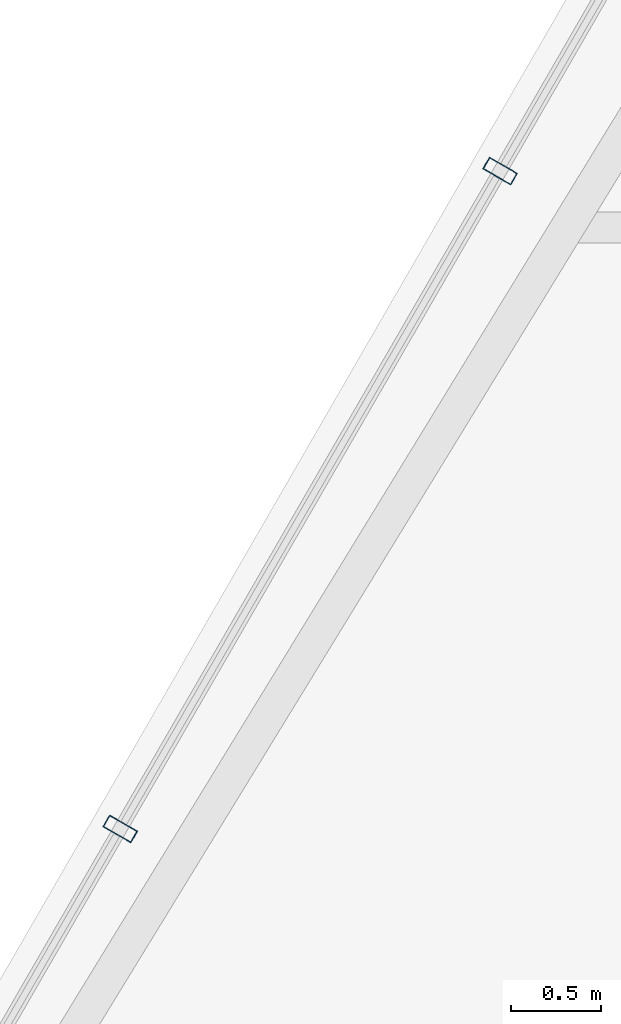
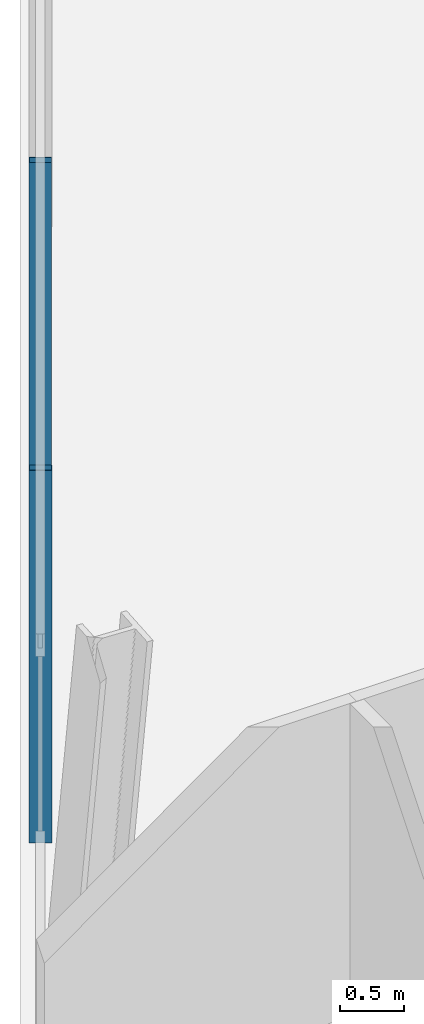
# One storey, part 12 of 33: 2 members, 1 element without a shape of its own.
"""IFC4 building model written with IfcOpenShell, lengths in metres."""

from ifc_helpers import new_model, si_unit, direction, frame, origin, origin_2d, place, context, subcontext, project, spatial, hollow_rectangle, extrude, material, layer, layer_set, material_profile, profile_set, type_object, element, aggregate, save


model = new_model("IFC4")

# Units and contexts
model_context = context("Model", 3, precision=1e-05, world=origin(), true_north=direction((0.0, 1.0)))
body_context = subcontext(model_context, "Body", "Model", "MODEL_VIEW")
ifc_project = project(units=[si_unit("LENGTHUNIT", "METRE"), si_unit("AREAUNIT", "SQUARE_METRE"), si_unit("VOLUMEUNIT", "CUBIC_METRE"), si_unit("PLANEANGLEUNIT", "RADIAN"), si_unit("MASSUNIT", "GRAM", prefix="KILO")], contexts=[model_context])

# Site, building, storey
site_placement = place(None, origin())
site = spatial("IfcSite", under=ifc_project, at=site_placement, CompositionType="ELEMENT")
building_placement = place(site_placement, origin())
building = spatial("IfcBuilding", under=site, at=building_placement, Name="Ndaravel Arena Tower", CompositionType="ELEMENT")
storey_placement = place(building_placement, frame((0.0, 0.0, 187.800048828125)))
storey = spatial("IfcBuildingStorey", under=building, at=storey_placement, Name="L45", CompositionType="ELEMENT", Elevation=187.800048828125)

# Curtain wall, members
ifc_material_1 = material(Name="Aluminium", Category="aluminium")
ifc_layer = layer(ifc_material_1, 0.179931640625)
ifc_layer_set = layer_set([ifc_layer], Name="Aluminium")
curtain_wall_type = type_object("IfcCurtainWallType", Name="CW-SYS-03", PredefinedType="NOTDEFINED", material=ifc_layer_set)
curtain_wall_placement = place(storey_placement, origin())
curtain_wall = element("IfcCurtainWall", 1, at=curtain_wall_placement, inside=storey, type_object=curtain_wall_type, Name="L45 Faceted Crystal Curtain Wall CW-L45-E05", PredefinedType="NOTDEFINED")
ifc_material_2 = material(Name="Aluminium", Category="aluminium")
ifc_material_profile = material_profile(ifc_material_2, hollow_rectangle(XDim=0.074951171875, YDim=0.179931640625, WallThickness=0.00390625, at=origin_2d()), Name="CW MULLION 75x180x4")
ifc_profile_set = profile_set([ifc_material_profile], Name="Aluminium")
member_type = type_object("IfcMemberType", Name="MEM-CW-MUL180", PredefinedType="MULLION", material=ifc_profile_set)
member_1_placement = place(storey_placement, frame((30.927978515625, 35.31494140625, 0.0), z_axis=(0.0, 0.0, 1.0), x_axis=(-0.5, -0.866025403784, 0.0)))
member_1 = element("IfcMember", 2, at=member_1_placement, type_object=member_type, Name="CW-L45-E05 Mullion 03", PredefinedType="MULLION", context=body_context, shape_type="SweptSolid", body=[
    extrude(hollow_rectangle(XDim=0.074951171875, YDim=0.179931640625, WallThickness=0.00390625, at=origin_2d()), origin(), (0.0, 0.0, 1.0), 3.579833984375),
])
member_2_placement = place(storey_placement, frame((28.8154296875, 31.655517578125, 0.0), z_axis=(0.0, 0.0, 1.0), x_axis=(-0.5, -0.866025403784, 0.0)))
member_2 = element("IfcMember", 3, at=member_2_placement, type_object=member_type, Name="CW-L45-E05 Mullion 04", PredefinedType="MULLION", context=body_context, shape_type="SweptSolid", body=[
    extrude(hollow_rectangle(XDim=0.074951171875, YDim=0.179931640625, WallThickness=0.00390625, at=origin_2d()), origin(), (0.0, 0.0, 1.0), 3.579833984375),
])
aggregate(curtain_wall, [member_1, member_2])

save(model, "model.ifc")
